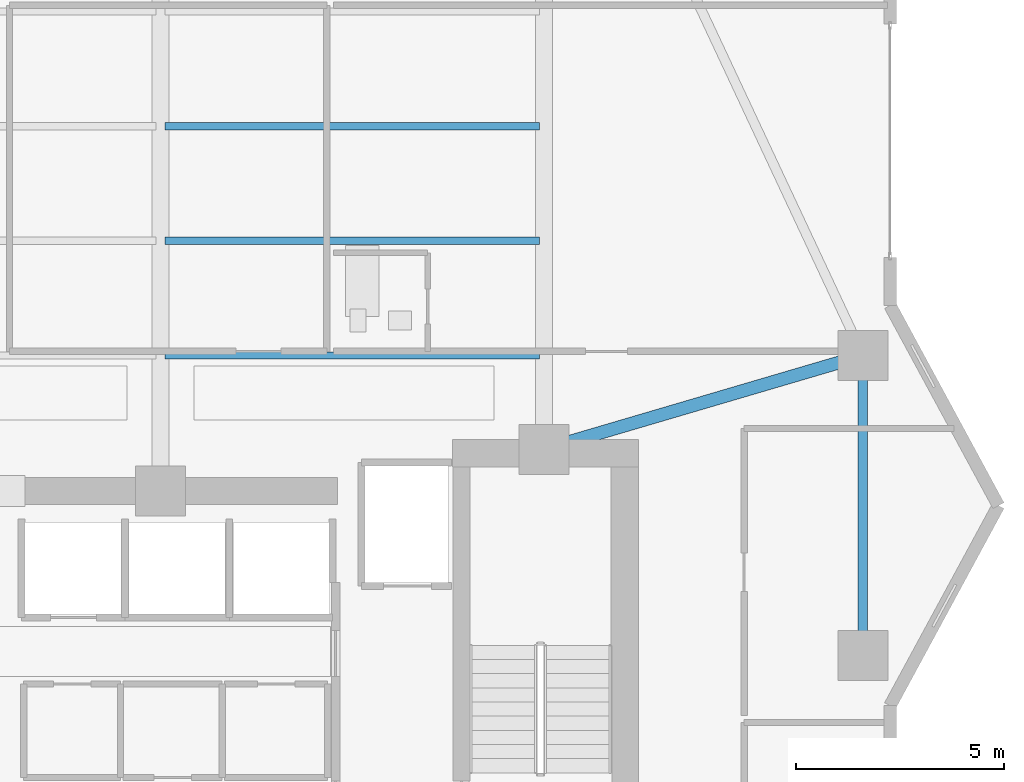
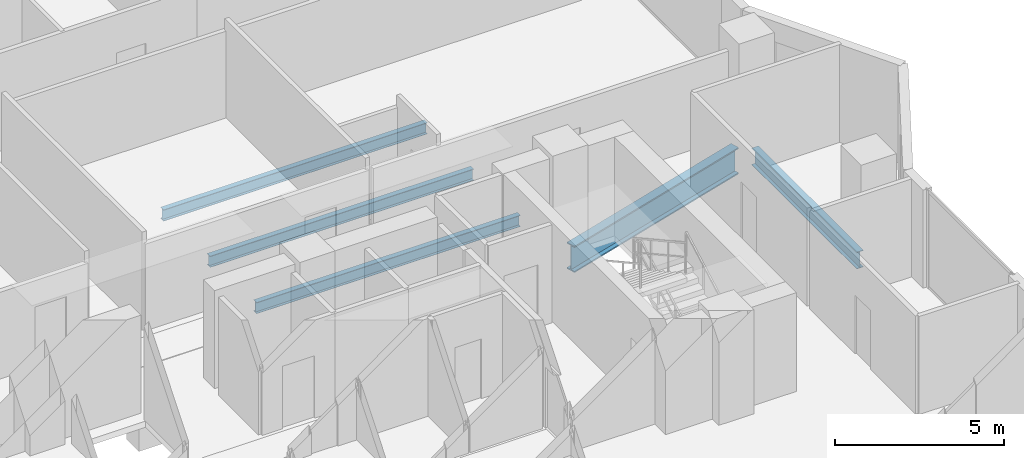
# One storey, part 13 of 32: 5 beams.
"""IFC4 building model written with IfcOpenShell, lengths in metres."""

from ifc_helpers import new_model, si_unit, direction, frame, origin, origin_2d, place, context, subcontext, project, spatial, i_section, extrude, material, material_profile, profile_set, type_object, element, save


model = new_model("IFC4")

# Units and contexts
model_context = context("Model", 3, precision=1e-05, world=origin(), true_north=direction((0.0, 1.0)))
body_context = subcontext(model_context, "Body", "Model", "MODEL_VIEW")
ifc_project = project(units=[si_unit("LENGTHUNIT", "METRE"), si_unit("AREAUNIT", "SQUARE_METRE"), si_unit("VOLUMEUNIT", "CUBIC_METRE"), si_unit("PLANEANGLEUNIT", "RADIAN"), si_unit("MASSUNIT", "GRAM", prefix="KILO")], contexts=[model_context])

# Site, building, storey
site_placement = place(None, origin())
site = spatial("IfcSite", under=ifc_project, at=site_placement, CompositionType="ELEMENT")
building_placement = place(site_placement, origin())
building = spatial("IfcBuilding", under=site, at=building_placement, Name="Zuhayl Quay Hotel", CompositionType="ELEMENT")
storey_placement = place(building_placement, frame((0.0, 0.0, 177.39990234375)))
storey = spatial("IfcBuildingStorey", under=building, at=storey_placement, Name="L44", CompositionType="ELEMENT", Elevation=177.39990234375)

# Beams
ifc_material = material(Name="Steel ASTM A992 Grade 50", Category="steel")
ifc_material_profile_1 = material_profile(ifc_material, i_section(OverallWidth=0.22802734375, OverallDepth=0.60693359375, WebThickness=0.01123046875, FlangeThickness=0.017333984375, at=origin_2d()), Name="W24X76")
ifc_profile_set_1 = profile_set([ifc_material_profile_1], Name="Steel ASTM A992 Grade 50")
beam_type_1 = type_object("IfcBeamType", Name="BM_B3_W24X76", PredefinedType="BEAM", material=ifc_profile_set_1)
beam_1_placement = place(storey_placement, frame((21.449951171875, 9.89990234375, -0.5234375), z_axis=(0.0, 1.0, 0.0), x_axis=(-1.0, 0.0, 0.0)))
element("IfcBeam", 1, at=beam_1_placement, inside=storey, type_object=beam_type_1, Name="L44 Floor Beam RG_L44_05", PredefinedType="BEAM", context=body_context, shape_type="SweptSolid", body=[
    extrude(i_section(OverallWidth=0.22802734375, OverallDepth=0.60693359375, WebThickness=0.01123046875, FlangeThickness=0.017333984375, at=origin_2d()), origin(), (0.0, 0.0, 1.0), 6.2001953125),
])
ifc_material_profile_2 = material_profile(ifc_material, i_section(OverallWidth=0.177978515625, OverallDepth=0.406005859375, WebThickness=0.0078125, FlangeThickness=0.0126953125, at=origin_2d()), Name="W16X40")
ifc_profile_set_2 = profile_set([ifc_material_profile_2], Name="Steel ASTM A992 Grade 50")
beam_type_2 = type_object("IfcBeamType", Name="BM_J2B_W16X40", PredefinedType="JOIST", material=ifc_profile_set_2)
for number, where, z_axis, x_axis, name in (
    (2, (4.7060546875, 16.60009765625, -0.4228515625), (1.0, 0.0, 0.0), (0.0, 1.0, 0.0), "L44 Floor Beam FJ_L44_1_3"),
    (3, (4.7060546875, 19.35009765625, -0.4228515625), (1.0, 0.0, 0.0), (0.0, 1.0, 0.0), "L44 Floor Beam FJ_L44_2_3"),
    (4, (4.7060546875, 22.10009765625, -0.4228515625), (1.0, 0.0, 0.0), (0.0, 1.0, 0.0), "L44 Floor Beam FJ_L44_3_3"),
):
    element("IfcBeam", number, at=place(storey_placement, frame(where, z_axis=z_axis, x_axis=x_axis)), inside=storey, type_object=beam_type_2, Name=name, PredefinedType="JOIST", context=body_context, shape_type="SweptSolid", body=[
        extrude(i_section(OverallWidth=0.177978515625, OverallDepth=0.406005859375, WebThickness=0.0078125, FlangeThickness=0.0126953125, at=origin_2d()), origin(), (0.0, 0.0, 1.0), 8.988037109375),
    ])
ifc_material_profile_3 = material_profile(ifc_material, i_section(OverallWidth=0.31005859375, OverallDepth=0.949951171875, WebThickness=0.0244140625, FlangeThickness=0.0439453125, at=origin_2d()), Name="W36X256")
ifc_profile_set_3 = profile_set([ifc_material_profile_3], Name="Steel ASTM A992 Grade 50")
beam_type_3 = type_object("IfcBeamType", Name="BM_PG1_W36X256", PredefinedType="BEAM", material=ifc_profile_set_3)
beam_2_placement = place(storey_placement, frame((14.231689453125, 14.47705078125, -0.69482421875), z_axis=(0.959364948093, 0.282168205812, 0.0), x_axis=(-0.282168205812, 0.959364948093, 0.0)))
element("IfcBeam", 5, at=beam_2_placement, inside=storey, type_object=beam_type_3, Name="L44 Floor Beam FG_E_L44_2", PredefinedType="BEAM", context=body_context, shape_type="SweptSolid", body=[
    extrude(i_section(OverallWidth=0.31005859375, OverallDepth=0.949951171875, WebThickness=0.0244140625, FlangeThickness=0.0439453125, at=origin_2d()), origin(), (0.0, 0.0, 1.0), 7.02392578125),
])

save(model, "model.ifc")
